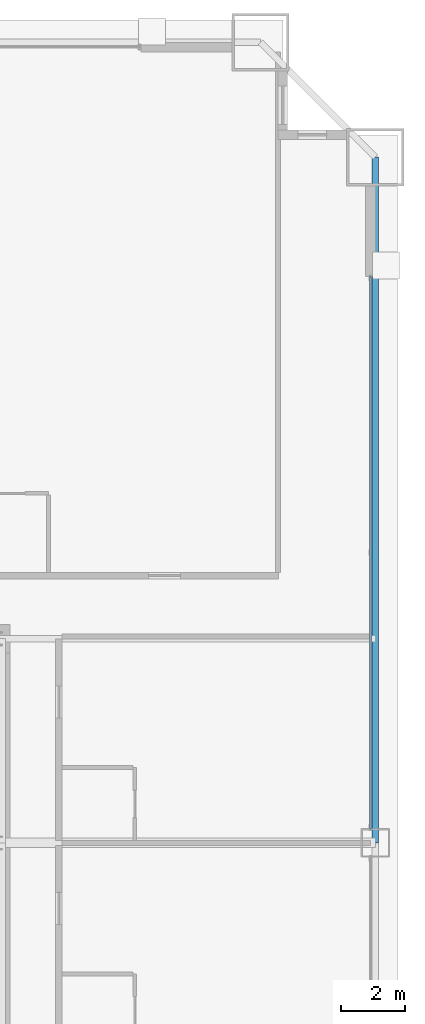
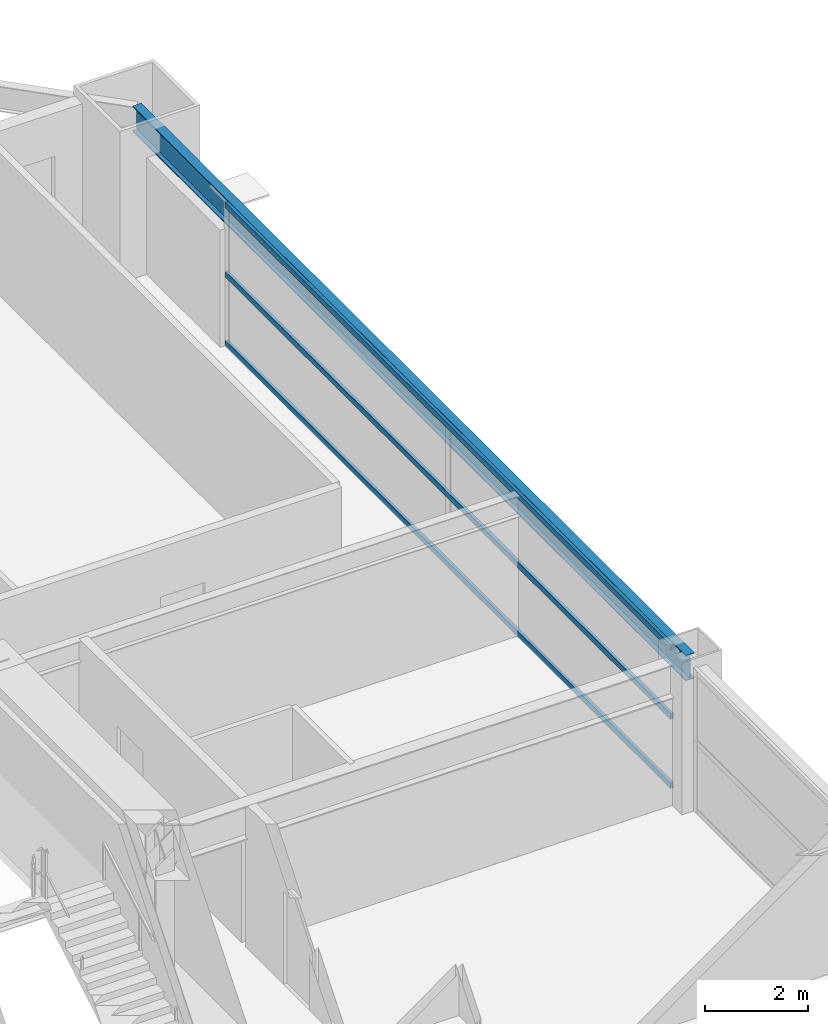
# One storey, part 35 of 46: 3 members, 1 beam, 1 element without a shape of its own.
"""IFC4 building model written with IfcOpenShell, lengths in metres."""

from ifc_helpers import new_model, si_unit, direction, frame, origin, origin_2d, place, context, subcontext, project, spatial, hollow_rectangle, i_section, extrude, source, transform, mapped, material, layer, layer_set, material_profile, profile_set, type_object, element, aggregate, save


model = new_model("IFC4")

# Units and contexts
model_context = context("Model", 3, precision=1e-05, world=origin(), true_north=direction((0.0, 1.0)))
body_context = subcontext(model_context, "Body", "Model", "MODEL_VIEW")
ifc_project = project(units=[si_unit("LENGTHUNIT", "METRE"), si_unit("AREAUNIT", "SQUARE_METRE"), si_unit("VOLUMEUNIT", "CUBIC_METRE"), si_unit("PLANEANGLEUNIT", "RADIAN"), si_unit("MASSUNIT", "GRAM", prefix="KILO"), si_unit("THERMODYNAMICTEMPERATUREUNIT", "KELVIN"), si_unit("POWERUNIT", "WATT")], contexts=[model_context])

# Site, building, storey
site_placement = place(None, origin())
site = spatial("IfcSite", under=ifc_project, at=site_placement, CompositionType="ELEMENT")
building_placement = place(site_placement, origin())
building = spatial("IfcBuilding", under=site, at=building_placement, Name="Yuzanri Waterfront Tower", CompositionType="ELEMENT")
storey_placement = place(building_placement, frame((0.0, 0.0, 56.800048828125)))
storey = spatial("IfcBuildingStorey", under=building, at=storey_placement, Name="L14", CompositionType="ELEMENT", Elevation=56.800048828125)

# Beam
ifc_material_1 = material(Name="Steel Q355B", Category="steel")
ifc_material_profile_1 = material_profile(ifc_material_1, i_section(OverallWidth=0.199951171875, OverallDepth=0.60009765625, WebThickness=0.010986328125, FlangeThickness=0.01708984375, at=origin_2d()), Name="HN 600x200x11x17")
ifc_profile_set_1 = profile_set([ifc_material_profile_1], Name="Steel Q355B")
beam_type = type_object("IfcBeamType", Name="Perimeter Spandrel Q355B HN 600x200", PredefinedType="SPANDREL", material=ifc_profile_set_1)
shared_shape_1 = source(origin(), body_context, "Body", "SweptSolid", [
    extrude(i_section(OverallWidth=0.199951171875, OverallDepth=0.60009765625, WebThickness=0.010986328125, FlangeThickness=0.01708984375, at=origin_2d()), origin(), (0.0, 0.0, 1.0), 21.5),
])
beam_placement = place(storey_placement, frame((62.10009765625, 25.800048828125, 3.079833984375), z_axis=(0.0, 1.0, 0.0), x_axis=(-1.0, 0.0, 0.0)))
element("IfcBeam", 1, at=beam_placement, inside=storey, type_object=beam_type, Name="L14 Perimeter Spandrel E2-E3", PredefinedType="SPANDREL", context=body_context, shape_type="MappedRepresentation", body=[
    mapped(shared_shape_1, transform((0.0, 0.0, 0.0), scale=1.0)),
])

# Curtain wall, members
ifc_material_2 = material(Name="Anodized Architectural Bronze", Category="metal")
ifc_layer = layer(ifc_material_2, 0.159912109375)
ifc_layer_set = layer_set([ifc_layer], Name="Anodized Architectural Bronze")
curtain_wall_type = type_object("IfcCurtainWallType", Name="Anodized Bronze Hotel Lower-Tier Recessed Unitized Curtain Wall 8100", PredefinedType="NOTDEFINED", material=ifc_layer_set)
curtain_wall_placement = place(storey_placement, origin())
curtain_wall = element("IfcCurtainWall", 2, at=curtain_wall_placement, inside=storey, type_object=curtain_wall_type, Name="L14 Curtain Wall CW-L14-ER", PredefinedType="NOTDEFINED")
ifc_material_3 = material(Name="Anodized Architectural Bronze", Category="metal")
ifc_material_profile_2 = material_profile(ifc_material_3, hollow_rectangle(XDim=0.070068359375, YDim=0.135009765625, WallThickness=0.00341796875, at=origin_2d()), Name="CWT 70x135")
ifc_profile_set_2 = profile_set([ifc_material_profile_2], Name="Anodized Architectural Bronze")
member_type = type_object("IfcMemberType", Name="Anodized Bronze Standard Curtain-Wall Transom 70x135", PredefinedType="USERDEFINED", material=ifc_profile_set_2)
shared_shape_2 = source(origin(), body_context, "Body", "SweptSolid", [
    extrude(hollow_rectangle(XDim=0.070068359375, YDim=0.135009765625, WallThickness=0.00341796875, at=origin_2d()), origin(), (0.0, 0.0, 1.0), 17.300048828125),
])
member_1_placement = place(storey_placement, frame((61.949951171875, 26.25, 0.050048828125), z_axis=(0.0, 1.0, 0.0), x_axis=(-1.0, 0.0, 0.0)))
member_1 = element("IfcMember", 3, at=member_1_placement, type_object=member_type, Name="CW-L14-ER Transom 1", ObjectType="TRANSOM", PredefinedType="USERDEFINED", context=body_context, shape_type="MappedRepresentation", body=[
    mapped(shared_shape_2, transform((0.0, 0.0, 0.0), scale=1.0)),
])
member_2_placement = place(storey_placement, frame((61.949951171875, 26.25, 1.68994140625), z_axis=(0.0, 1.0, 0.0), x_axis=(-1.0, 0.0, 0.0)))
member_2 = element("IfcMember", 4, at=member_2_placement, type_object=member_type, Name="CW-L14-ER Transom 2", ObjectType="TRANSOM", PredefinedType="USERDEFINED", context=body_context, shape_type="MappedRepresentation", body=[
    mapped(shared_shape_2, transform((0.0, 0.0, 0.0), scale=1.0)),
])
member_3_placement = place(storey_placement, frame((61.949951171875, 26.25, 3.329833984375), z_axis=(0.0, 1.0, 0.0), x_axis=(-1.0, 0.0, 0.0)))
member_3 = element("IfcMember", 5, at=member_3_placement, type_object=member_type, Name="CW-L14-ER Transom 3", ObjectType="TRANSOM", PredefinedType="USERDEFINED", context=body_context, shape_type="MappedRepresentation", body=[
    mapped(shared_shape_2, transform((0.0, 0.0, 0.0), scale=1.0)),
])
aggregate(curtain_wall, [member_1, member_2, member_3])

save(model, "model.ifc")
